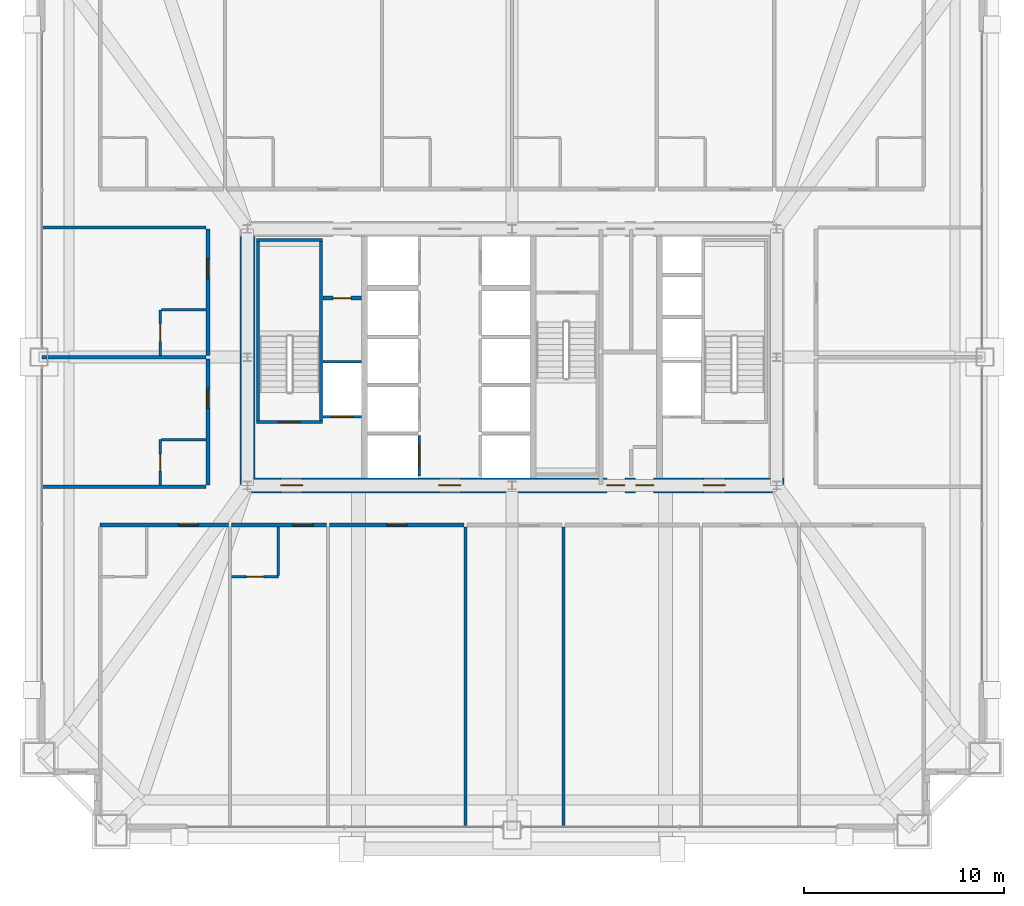
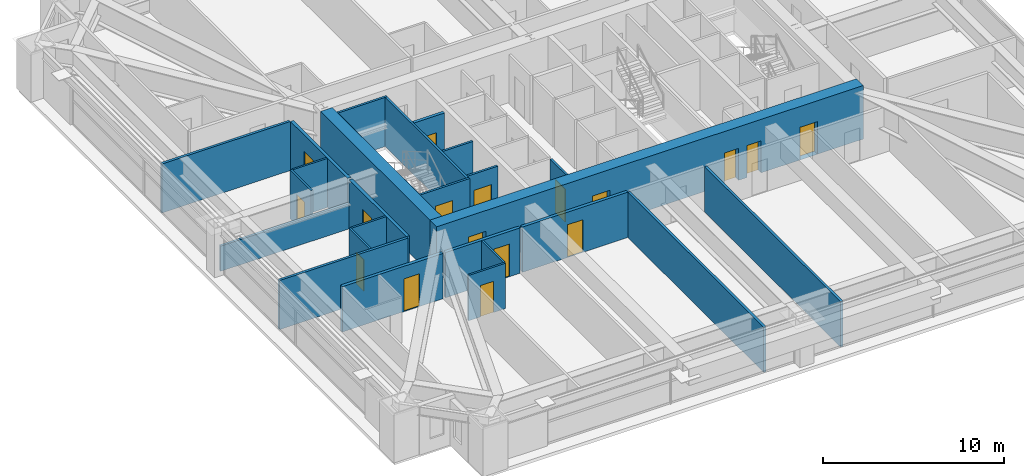
# One storey, part 41 of 45: 26 walls, 17 doors, 17 openings.
"""IFC4 building model written with IfcOpenShell, lengths in metres."""

from ifc_helpers import new_model, si_unit, direction, frame, frame_2d, origin, place, context, subcontext, project, spatial, rectangle, extrude, source, transform, mapped, material, layer, layer_set, type_object, element, fill, save


model = new_model("IFC4")

# Units and contexts
model_context = context("Model", 3, precision=1e-05, world=origin(), true_north=direction((0.0, 1.0)))
body_context = subcontext(model_context, "Body", "Model", "MODEL_VIEW")
ifc_project = project(units=[si_unit("LENGTHUNIT", "METRE"), si_unit("AREAUNIT", "SQUARE_METRE"), si_unit("VOLUMEUNIT", "CUBIC_METRE"), si_unit("PLANEANGLEUNIT", "RADIAN"), si_unit("MASSUNIT", "GRAM", prefix="KILO"), si_unit("THERMODYNAMICTEMPERATUREUNIT", "KELVIN"), si_unit("POWERUNIT", "WATT")], contexts=[model_context])

# Site, building, storey
site_placement = place(None, origin())
site = spatial("IfcSite", under=ifc_project, at=site_placement, CompositionType="ELEMENT")
building_placement = place(site_placement, origin())
building = spatial("IfcBuilding", under=site, at=building_placement, Name="Yuzanri Waterfront Tower", CompositionType="ELEMENT")
storey_placement = place(building_placement, frame((0.0, 0.0, 163.199951171875)))
storey = spatial("IfcBuildingStorey", under=building, at=storey_placement, Name="L43", CompositionType="ELEMENT", Elevation=163.199951171875)

# Wall, opening, door
ifc_material_1 = material(Name="Moisture-Resistant Gypsum Stud Wall", Category="gypsum")
ifc_layer_1 = layer(ifc_material_1, 0.1201171875)
ifc_layer_set_1 = layer_set([ifc_layer_1], Name="Moisture-Resistant Gypsum Stud Wall")
wall_type_1 = type_object("IfcWallType", Name="Bathroom and Kitchen Wet Partition 120", PredefinedType="PARTITIONING", material=ifc_layer_set_1)
wall_1_placement = place(storey_placement, frame((23.010986328125, 14.840087890625, 0.0), z_axis=(0.0, 0.0, 1.0), x_axis=(1.0, 0.0, 0.0)))
wall_1 = element("IfcWall", 1, at=wall_1_placement, inside=storey, type_object=wall_type_1, Name="L43 Partition UW-L43-S2-BS", PredefinedType="PARTITIONING", context=body_context, shape_type="SweptSolid", body=[
    extrude(rectangle(XDim=2.330078125, YDim=0.1201171875, at=frame_2d((1.1650390625, 0.0))), origin(), (0.0, 0.0, 1.0), 3.050048828125),
])
opening_1_placement = place(wall_1_placement, frame((0.739990234375, 0.0, 0.0)))
opening_1 = element("IfcOpeningElement", 2, at=opening_1_placement, cuts=wall_1, Name="Opening ID-0850", PredefinedType="OPENING", context=body_context, shape_type="SweptSolid", body=[
    extrude(rectangle(XDim=0.85009765625, YDim=2.10009765625, at=frame_2d((0.425048828125, 1.050048828125))), frame((0.0, 0.074951171875, 0.0), z_axis=(0.0, -1.0, 0.0), x_axis=(1.0, 0.0, 0.0)), (0.0, 0.0, 1.0), 0.14990234375),
])
ifc_material_2 = material(Name="Moisture-Resistant Lacquered Timber", Category="wood")
door_type_1 = type_object("IfcDoorType", Name="En-Suite Bathroom and Kitchen Swing Door 850x2100", OperationType="NOTDEFINED", PredefinedType="DOOR", material=ifc_material_2)
shared_shape_1 = source(origin(), body_context, "Body", "SweptSolid", [
    extrude(rectangle(XDim=0.85009765625, YDim=2.10009765625, at=frame_2d((0.425048828125, 1.050048828125))), frame((0.0, 0.02490234375, 0.0), z_axis=(0.0, -1.0, 0.0), x_axis=(1.0, 0.0, 0.0)), (0.0, 0.0, 1.0), 0.050048828125),
])
door_1_placement = place(opening_1_placement, origin())
door_1 = element("IfcDoor", 3, at=door_1_placement, inside=storey, type_object=door_type_1, Name="L43 Guest En-Suite Door", OperationType="SINGLE_SWING_RIGHT", OverallHeight=2.10009765625, OverallWidth=0.85009765625, PredefinedType="DOOR", context=body_context, shape_type="MappedRepresentation", body=[
    mapped(shared_shape_1, transform((0.0, 0.0, 0.0), scale=1.0)),
])
fill(opening_1, door_1)

wall_2_placement = place(storey_placement, frame((19.43994140625, 19.409912109375, 0.0), z_axis=(0.0, 0.0, 1.0), x_axis=(0.0, 1.0, 0.0)))
wall_2 = element("IfcWall", 4, at=wall_2_placement, inside=storey, type_object=wall_type_1, Name="L43 Partition UW-L43-W1-BW", PredefinedType="PARTITIONING", context=body_context, shape_type="SweptSolid", body=[
    extrude(rectangle(XDim=2.280029296875, YDim=0.1201171875, at=frame_2d((1.14013671875, 0.0))), origin(), (0.0, 0.0, 1.0), 3.300048828125),
])
opening_2_placement = place(wall_2_placement, frame((0.715087890625, 0.0, 0.0)))
opening_2 = element("IfcOpeningElement", 5, at=opening_2_placement, cuts=wall_2, Name="Opening ID-0850", PredefinedType="OPENING", context=body_context, shape_type="SweptSolid", body=[
    extrude(rectangle(XDim=0.85009765625, YDim=2.10009765625, at=frame_2d((0.425048828125, 1.050048828125))), frame((0.0, 0.074951171875, 0.0), z_axis=(0.0, -1.0, 0.0), x_axis=(1.0, 0.0, 0.0)), (0.0, 0.0, 1.0), 0.14990234375),
])
door_2_placement = place(opening_2_placement, origin())
door_2 = element("IfcDoor", 6, at=door_2_placement, inside=storey, type_object=door_type_1, Name="L43 Guest En-Suite Door", OperationType="SINGLE_SWING_LEFT", OverallHeight=2.10009765625, OverallWidth=0.85009765625, PredefinedType="DOOR", context=body_context, shape_type="MappedRepresentation", body=[
    mapped(shared_shape_1, transform((0.0, 0.0, 0.0), scale=1.0)),
])
fill(opening_2, door_2)

wall_3_placement = place(storey_placement, frame((19.43994140625, 25.8798828125, 0.0), z_axis=(0.0, 0.0, 1.0), x_axis=(0.0, 1.0, 0.0)))
wall_3 = element("IfcWall", 7, at=wall_3_placement, inside=storey, type_object=wall_type_1, Name="L43 Partition UW-L43-W2-BW", PredefinedType="PARTITIONING", context=body_context, shape_type="SweptSolid", body=[
    extrude(rectangle(XDim=2.280029296875, YDim=0.1201171875, at=frame_2d((1.14013671875, 0.0))), origin(), (0.0, 0.0, 1.0), 3.300048828125),
])
opening_3_placement = place(wall_3_placement, frame((0.715087890625, 0.0, 0.0)))
opening_3 = element("IfcOpeningElement", 8, at=opening_3_placement, cuts=wall_3, Name="Opening ID-0850", PredefinedType="OPENING", context=body_context, shape_type="SweptSolid", body=[
    extrude(rectangle(XDim=0.85009765625, YDim=2.10009765625, at=frame_2d((0.425048828125, 1.050048828125))), frame((0.0, 0.074951171875, 0.0), z_axis=(0.0, -1.0, 0.0), x_axis=(1.0, 0.0, 0.0)), (0.0, 0.0, 1.0), 0.14990234375),
])
door_3_placement = place(opening_3_placement, origin())
door_3 = element("IfcDoor", 9, at=door_3_placement, inside=storey, type_object=door_type_1, Name="L43 Guest En-Suite Door", OperationType="SINGLE_SWING_LEFT", OverallHeight=2.10009765625, OverallWidth=0.85009765625, PredefinedType="DOOR", context=body_context, shape_type="MappedRepresentation", body=[
    mapped(shared_shape_1, transform((0.0, 0.0, 0.0), scale=1.0)),
])
fill(opening_3, door_3)

# Wall, openings, doors
ifc_material_3 = material(Name="Concrete C55", Category="concrete")
ifc_layer_2 = layer(ifc_material_3, 0.75)
ifc_layer_set_2 = layer_set([ifc_layer_2], Name="Concrete C55")
wall_type_2 = type_object("IfcWallType", Name="Concrete C55 Low-Mid Zone Core Shear Wall 750", PredefinedType="SHEAR", material=ifc_layer_set_2)
wall_4_placement = place(storey_placement, frame((23.425048828125, 19.39990234375, 0.0), z_axis=(0.0, 0.0, 1.0), x_axis=(1.0, 0.0, 0.0)))
wall_4 = element("IfcWall", 10, at=wall_4_placement, inside=storey, type_object=wall_type_2, Name="L43 Core South Shear Wall", PredefinedType="SHEAR", context=body_context, shape_type="SweptSolid", body=[
    extrude(rectangle(XDim=27.14990234375, YDim=0.75, at=frame_2d((13.574951171875, 0.0))), origin(), (0.0, 0.0, 1.0), 3.60009765625),
])
opening_4_placement = place(wall_4_placement, frame((2.02490234375, 0.0, 0.0)))
opening_4 = element("IfcOpeningElement", 11, at=opening_4_placement, cuts=wall_4, Name="Opening FD-1100", PredefinedType="OPENING", context=body_context, shape_type="SweptSolid", body=[
    extrude(rectangle(XDim=1.10009765625, YDim=2.199951171875, at=frame_2d((0.550048828125, 1.10009765625))), frame((0.0, 0.389892578125, 0.0), z_axis=(0.0, -1.0, 0.0), x_axis=(1.0, 0.0, 0.0)), (0.0, 0.0, 1.0), 0.77978515625),
])
opening_5_placement = place(wall_4_placement, frame((9.925048828125, 0.0, 0.0)))
opening_5 = element("IfcOpeningElement", 12, at=opening_5_placement, cuts=wall_4, Name="Opening FD-1100", PredefinedType="OPENING", context=body_context, shape_type="SweptSolid", body=[
    extrude(rectangle(XDim=1.10009765625, YDim=2.199951171875, at=frame_2d((0.550048828125, 1.10009765625))), frame((0.0, 0.389892578125, 0.0), z_axis=(0.0, -1.0, 0.0), x_axis=(1.0, 0.0, 0.0)), (0.0, 0.0, 1.0), 0.77978515625),
])
opening_6_placement = place(wall_4_placement, frame((23.125, 0.0, 0.0)))
opening_6 = element("IfcOpeningElement", 13, at=opening_6_placement, cuts=wall_4, Name="Opening FD-1100", PredefinedType="OPENING", context=body_context, shape_type="SweptSolid", body=[
    extrude(rectangle(XDim=1.10009765625, YDim=2.199951171875, at=frame_2d((0.550048828125, 1.10009765625))), frame((0.0, 0.389892578125, 0.0), z_axis=(0.0, -1.0, 0.0), x_axis=(1.0, 0.0, 0.0)), (0.0, 0.0, 1.0), 0.77978515625),
])
opening_7_placement = place(wall_4_placement, frame((19.7451171875, 0.0, 0.0)))
opening_7 = element("IfcOpeningElement", 14, at=opening_7_placement, cuts=wall_4, Name="Opening FD-0900", PredefinedType="OPENING", context=body_context, shape_type="SweptSolid", body=[
    extrude(rectangle(XDim=0.89990234375, YDim=2.14990234375, at=frame_2d((0.449951171875, 1.074951171875))), frame((0.0, 0.389892578125, 0.0), z_axis=(0.0, -1.0, 0.0), x_axis=(1.0, 0.0, 0.0)), (0.0, 0.0, 1.0), 0.77978515625),
])
opening_8_placement = place(wall_4_placement, frame((18.304931640625, 0.0, 0.0)))
opening_8 = element("IfcOpeningElement", 15, at=opening_8_placement, cuts=wall_4, Name="Opening FD-0900", PredefinedType="OPENING", context=body_context, shape_type="SweptSolid", body=[
    extrude(rectangle(XDim=0.89990234375, YDim=2.14990234375, at=frame_2d((0.449951171875, 1.074951171875))), frame((0.0, 0.389892578125, 0.0), z_axis=(0.0, -1.0, 0.0), x_axis=(1.0, 0.0, 0.0)), (0.0, 0.0, 1.0), 0.77978515625),
])
ifc_material_4 = material(Name="Painted Galvanized Fire Steel", Category="steel")
door_type_2 = type_object("IfcDoorType", Name="Smoke-Proof Stair and Lobby Fire Door 1100x2200", OperationType="NOTDEFINED", PredefinedType="DOOR", material=ifc_material_4)
shared_shape_2 = source(origin(), body_context, "Body", "SweptSolid", [
    extrude(rectangle(XDim=1.10009765625, YDim=2.199951171875, at=frame_2d((0.550048828125, 1.10009765625))), frame((0.0, 0.02490234375, 0.0), z_axis=(0.0, -1.0, 0.0), x_axis=(1.0, 0.0, 0.0)), (0.0, 0.0, 1.0), 0.050048828125),
])
door_4_placement = place(opening_4_placement, origin())
door_4 = element("IfcDoor", 16, at=door_4_placement, inside=storey, type_object=door_type_2, Name="L43 West Firefighting Lobby Door", OperationType="SINGLE_SWING_RIGHT", OverallHeight=2.199951171875, OverallWidth=1.10009765625, PredefinedType="DOOR", context=body_context, shape_type="MappedRepresentation", body=[
    mapped(shared_shape_2, transform((0.0, 0.0, 0.0), scale=1.0)),
])
fill(opening_4, door_4)
door_5_placement = place(opening_5_placement, origin())
door_5 = element("IfcDoor", 17, at=door_5_placement, inside=storey, type_object=door_type_2, Name="L43 Central Lift Lobby South Door", OperationType="SINGLE_SWING_LEFT", OverallHeight=2.199951171875, OverallWidth=1.10009765625, PredefinedType="DOOR", context=body_context, shape_type="MappedRepresentation", body=[
    mapped(shared_shape_2, transform((0.0, 0.0, 0.0), scale=1.0)),
])
fill(opening_5, door_5)
door_6_placement = place(opening_6_placement, origin())
door_6 = element("IfcDoor", 18, at=door_6_placement, inside=storey, type_object=door_type_2, Name="L43 East Firefighting Lobby Door", OperationType="SINGLE_SWING_RIGHT", OverallHeight=2.199951171875, OverallWidth=1.10009765625, PredefinedType="DOOR", context=body_context, shape_type="MappedRepresentation", body=[
    mapped(shared_shape_2, transform((0.0, 0.0, 0.0), scale=1.0)),
])
fill(opening_6, door_6)
ifc_material_5 = material(Name="Painted Galvanized Fire Steel", Category="steel")
door_type_3 = type_object("IfcDoorType", Name="Riser and Service Room Fire Door 900x2150", OperationType="NOTDEFINED", PredefinedType="DOOR", material=ifc_material_5)
shared_shape_3 = source(origin(), body_context, "Body", "SweptSolid", [
    extrude(rectangle(XDim=0.89990234375, YDim=2.14990234375, at=frame_2d((0.449951171875, 1.074951171875))), frame((0.0, 0.02490234375, 0.0), z_axis=(0.0, -1.0, 0.0), x_axis=(1.0, 0.0, 0.0)), (0.0, 0.0, 1.0), 0.050048828125),
])
door_7_placement = place(opening_7_placement, origin())
door_7 = element("IfcDoor", 19, at=door_7_placement, inside=storey, type_object=door_type_3, Name="L43 East Wet Riser Door", OperationType="SINGLE_SWING_LEFT", OverallHeight=2.14990234375, OverallWidth=0.89990234375, PredefinedType="DOOR", context=body_context, shape_type="MappedRepresentation", body=[
    mapped(shared_shape_3, transform((0.0, 0.0, 0.0), scale=1.0)),
])
fill(opening_7, door_7)
door_8_placement = place(opening_8_placement, origin())
door_8 = element("IfcDoor", 20, at=door_8_placement, inside=storey, type_object=door_type_3, Name="L43 Housekeeping Room", OperationType="SINGLE_SWING_RIGHT", OverallHeight=2.14990234375, OverallWidth=0.89990234375, PredefinedType="DOOR", context=body_context, shape_type="MappedRepresentation", body=[
    mapped(shared_shape_3, transform((0.0, 0.0, 0.0), scale=1.0)),
])
fill(opening_8, door_8)

# Wall, opening, door
ifc_material_6 = material(Name="Concrete C40", Category="concrete")
ifc_layer_3 = layer(ifc_material_6, 0.139892578125)
ifc_layer_set_3 = layer_set([ifc_layer_3], Name="Concrete C40")
wall_type_3 = type_object("IfcWallType", Name="Core Stair Liner and Hoistway Shaft Wall 140", PredefinedType="SOLIDWALL", material=ifc_layer_set_3)
wall_5_placement = place(storey_placement, frame((27.56005859375, 22.830078125, 0.0), z_axis=(0.0, 0.0, 1.0), x_axis=(1.0, 0.0, 0.0)))
wall_5 = element("IfcWall", 21, at=wall_5_placement, inside=storey, type_object=wall_type_3, Name="L43 Lift FL-01 Front Shaft Wall", PredefinedType="SOLIDWALL", context=body_context, shape_type="SweptSolid", body=[
    extrude(rectangle(XDim=1.919921875, YDim=0.139892578125, at=frame_2d((0.9599609375, 0.0))), origin(), (0.0, 0.0, 1.0), 3.300048828125),
])
opening_9_placement = place(wall_5_placement, frame((0.409912109375, 0.0, 0.0)))
opening_9 = element("IfcOpeningElement", 22, at=opening_9_placement, cuts=wall_5, Name="Opening LD-FL-01", PredefinedType="OPENING", context=body_context, shape_type="SweptSolid", body=[
    extrude(rectangle(XDim=1.10009765625, YDim=2.199951171875, at=frame_2d((0.550048828125, 1.10009765625))), frame((0.0, 0.0849609375, 0.0), z_axis=(0.0, -1.0, 0.0), x_axis=(1.0, 0.0, 0.0)), (0.0, 0.0, 1.0), 0.169677734375),
])
ifc_material_7 = material(Name="Brushed Bronze and Stainless Steel Cab", Category="steel")
door_type_4 = type_object("IfcDoorType", Name="Center-Parting Bronze Lift Landing Sliding Door 1100x2200", OperationType="NOTDEFINED", PredefinedType="DOOR", material=ifc_material_7)
shared_shape_4 = source(origin(), body_context, "Body", "SweptSolid", [
    extrude(rectangle(XDim=1.10009765625, YDim=2.199951171875, at=frame_2d((0.550048828125, 1.10009765625))), frame((0.0, 0.02490234375, 0.0), z_axis=(0.0, -1.0, 0.0), x_axis=(1.0, 0.0, 0.0)), (0.0, 0.0, 1.0), 0.050048828125),
])
door_9_placement = place(opening_9_placement, origin())
door_9 = element("IfcDoor", 23, at=door_9_placement, inside=storey, type_object=door_type_4, Name="L43 FL-01 Lift Landing Sliding Door", OperationType="SLIDING_TO_LEFT", OverallHeight=2.199951171875, OverallWidth=1.10009765625, PredefinedType="DOOR", context=body_context, shape_type="MappedRepresentation", body=[
    mapped(shared_shape_4, transform((0.0, 0.0, 0.0), scale=1.0)),
])
fill(opening_9, door_9)

wall_6_placement = place(storey_placement, frame((32.3701171875, 19.860107421875, 0.0), z_axis=(0.0, 0.0, 1.0), x_axis=(0.0, 1.0, 0.0)))
wall_6 = element("IfcWall", 24, at=wall_6_placement, inside=storey, type_object=wall_type_3, Name="L43 Lift PL-01 Front Shaft Wall", PredefinedType="SOLIDWALL", context=body_context, shape_type="SweptSolid", body=[
    extrude(rectangle(XDim=2.039794921875, YDim=0.139892578125, at=frame_2d((1.02001953125, 0.0))), origin(), (0.0, 0.0, 1.0), 3.300048828125),
])
opening_10_placement = place(wall_6_placement, frame((0.469970703125, 0.0, 0.0)))
opening_10 = element("IfcOpeningElement", 25, at=opening_10_placement, cuts=wall_6, Name="Opening LD-PL-01", PredefinedType="OPENING", context=body_context, shape_type="SweptSolid", body=[
    extrude(rectangle(XDim=1.10009765625, YDim=2.199951171875, at=frame_2d((0.550048828125, 1.10009765625))), frame((0.0, 0.0849609375, 0.0), z_axis=(0.0, -1.0, 0.0), x_axis=(1.0, 0.0, 0.0)), (0.0, 0.0, 1.0), 0.169677734375),
])
door_10_placement = place(opening_10_placement, origin())
door_10 = element("IfcDoor", 26, at=door_10_placement, inside=storey, type_object=door_type_4, Name="L43 PL-01 Lift Landing Sliding Door", OperationType="SLIDING_TO_LEFT", OverallHeight=2.199951171875, OverallWidth=1.10009765625, PredefinedType="DOOR", context=body_context, shape_type="MappedRepresentation", body=[
    mapped(shared_shape_4, transform((0.0, 0.0, 0.0), scale=1.0)),
])
fill(opening_10, door_10)

wall_7_placement = place(storey_placement, frame((24.260009765625, 22.570068359375, 0.0), z_axis=(0.0, 0.0, 1.0), x_axis=(1.0, 0.0, 0.0)))
wall_7 = element("IfcWall", 27, at=wall_7_placement, inside=storey, type_object=wall_type_3, Name="L43 Shaft Wall STW-L43-ST-01-S", PredefinedType="SOLIDWALL", context=body_context, shape_type="SweptSolid", body=[
    extrude(rectangle(XDim=3.280029296875, YDim=0.139892578125, at=frame_2d((1.64013671875, 0.0))), origin(), (0.0, 0.0, 1.0), 3.300048828125),
])
opening_11_placement = place(wall_7_placement, frame((1.090087890625, 0.0, 0.0)))
opening_11 = element("IfcOpeningElement", 28, at=opening_11_placement, cuts=wall_7, Name="Opening FD-1100", PredefinedType="OPENING", context=body_context, shape_type="SweptSolid", body=[
    extrude(rectangle(XDim=1.10009765625, YDim=2.199951171875, at=frame_2d((0.550048828125, 1.10009765625))), frame((0.0, 0.0849609375, 0.0), z_axis=(0.0, -1.0, 0.0), x_axis=(1.0, 0.0, 0.0)), (0.0, 0.0, 1.0), 0.169677734375),
])
door_11_placement = place(opening_11_placement, origin())
door_11 = element("IfcDoor", 29, at=door_11_placement, inside=storey, type_object=door_type_2, Name="L43 Stair ST-01 Fire Door", OperationType="SINGLE_SWING_LEFT", OverallHeight=2.199951171875, OverallWidth=1.10009765625, PredefinedType="DOOR", context=body_context, shape_type="MappedRepresentation", body=[
    mapped(shared_shape_2, transform((0.0, 0.0, 0.0), scale=1.0)),
])
fill(opening_11, door_11)

ifc_material_8 = material(Name="Autoclaved Aerated Concrete Blockwork", Category="masonry")
ifc_layer_4 = layer(ifc_material_8, 0.199951171875)
ifc_layer_set_4 = layer_set([ifc_layer_4], Name="Autoclaved Aerated Concrete Blockwork")
wall_type_4 = type_object("IfcWallType", Name="Corridor and Unit Party Fire Wall 200", PredefinedType="PARTITIONING", material=ifc_layer_set_4)
wall_8_placement = place(storey_placement, frame((27.56005859375, 28.75, 0.0), z_axis=(0.0, 0.0, 1.0), x_axis=(1.0, 0.0, 0.0)))
wall_8 = element("IfcWall", 30, at=wall_8_placement, inside=storey, type_object=wall_type_4, Name="L43 Partition CRW-L43-ERTR", PredefinedType="PARTITIONING", context=body_context, shape_type="SweptSolid", body=[
    extrude(rectangle(XDim=1.919921875, YDim=0.199951171875, at=frame_2d((0.9599609375, 0.0))), origin(), (0.0, 0.0, 1.0), 3.300048828125),
])
opening_12_placement = place(wall_8_placement, frame((0.510009765625, 0.0, 0.0)))
opening_12 = element("IfcOpeningElement", 31, at=opening_12_placement, cuts=wall_8, Name="Opening FD-0900", PredefinedType="OPENING", context=body_context, shape_type="SweptSolid", body=[
    extrude(rectangle(XDim=0.89990234375, YDim=2.14990234375, at=frame_2d((0.449951171875, 1.074951171875))), frame((0.0, 0.11474609375, 0.0), z_axis=(0.0, -1.0, 0.0), x_axis=(1.0, 0.0, 0.0)), (0.0, 0.0, 1.0), 0.229736328125),
])
door_12_placement = place(opening_12_placement, origin())
door_12 = element("IfcDoor", 32, at=door_12_placement, inside=storey, type_object=door_type_3, Name="L43 Electrical Riser Door", OperationType="SINGLE_SWING_RIGHT", OverallHeight=2.14990234375, OverallWidth=0.89990234375, PredefinedType="DOOR", context=body_context, shape_type="MappedRepresentation", body=[
    mapped(shared_shape_3, transform((0.0, 0.0, 0.0), scale=1.0)),
])
fill(opening_12, door_12)

wall_9_placement = place(storey_placement, frame((16.43994140625, 17.419921875, 0.0), z_axis=(0.0, 0.0, 1.0), x_axis=(1.0, 0.0, 0.0)))
wall_9 = element("IfcWall", 33, at=wall_9_placement, inside=storey, type_object=wall_type_4, Name="L43 Partition UW-L43-S1-CN", PredefinedType="PARTITIONING", context=body_context, shape_type="SweptSolid", body=[
    extrude(rectangle(XDim=6.4111328125, YDim=0.199951171875, at=frame_2d((3.20556640625, 0.0))), origin(), (0.0, 0.0, 1.0), 3.050048828125),
])
opening_13_placement = place(wall_9_placement, frame((3.910888671875, 0.0, 0.0)))
opening_13 = element("IfcOpeningElement", 34, at=opening_13_placement, cuts=wall_9, Name="Opening FD-1000", PredefinedType="OPENING", context=body_context, shape_type="SweptSolid", body=[
    extrude(rectangle(XDim=1.0, YDim=2.199951171875, at=frame_2d((0.5, 1.10009765625))), frame((0.0, 0.11474609375, 0.0), z_axis=(0.0, -1.0, 0.0), x_axis=(1.0, 0.0, 0.0)), (0.0, 0.0, 1.0), 0.229736328125),
])
ifc_material_9 = material(Name="Engineered Oak Fire-Rated Timber", Category="wood")
door_type_5 = type_object("IfcDoorType", Name="Guestroom and Apartment Entrance Fire Door 1000x2200", OperationType="NOTDEFINED", PredefinedType="DOOR", material=ifc_material_9)
shared_shape_5 = source(origin(), body_context, "Body", "SweptSolid", [
    extrude(rectangle(XDim=1.0, YDim=2.199951171875, at=frame_2d((0.5, 1.10009765625))), frame((0.0, 0.02490234375, 0.0), z_axis=(0.0, -1.0, 0.0), x_axis=(1.0, 0.0, 0.0)), (0.0, 0.0, 1.0), 0.050048828125),
])
door_13_placement = place(opening_13_placement, origin())
door_13 = element("IfcDoor", 35, at=door_13_placement, inside=storey, type_object=door_type_5, Name="L43 Premier Riverview Junior Suite Entrance Door", OperationType="SINGLE_SWING_LEFT", OverallHeight=2.199951171875, OverallWidth=1.0, PredefinedType="DOOR", context=body_context, shape_type="MappedRepresentation", body=[
    mapped(shared_shape_5, transform((0.0, 0.0, 0.0), scale=1.0)),
])
fill(opening_13, door_13)

wall_10_placement = place(storey_placement, frame((23.010986328125, 17.419921875, 0.0), z_axis=(0.0, 0.0, 1.0), x_axis=(1.0, 0.0, 0.0)))
wall_10 = element("IfcWall", 36, at=wall_10_placement, inside=storey, type_object=wall_type_4, Name="L43 Partition UW-L43-S2-CN", PredefinedType="PARTITIONING", context=body_context, shape_type="SweptSolid", body=[
    extrude(rectangle(XDim=4.72705078125, YDim=0.199951171875, at=frame_2d((2.363525390625, 0.0))), origin(), (0.0, 0.0, 1.0), 3.050048828125),
])
opening_14_placement = place(wall_10_placement, frame((3.068115234375, 0.0, 0.0)))
opening_14 = element("IfcOpeningElement", 37, at=opening_14_placement, cuts=wall_10, Name="Opening FD-1000", PredefinedType="OPENING", context=body_context, shape_type="SweptSolid", body=[
    extrude(rectangle(XDim=1.0, YDim=2.199951171875, at=frame_2d((0.5, 1.10009765625))), frame((0.0, 0.11474609375, 0.0), z_axis=(0.0, -1.0, 0.0), x_axis=(1.0, 0.0, 0.0)), (0.0, 0.0, 1.0), 0.229736328125),
])
door_14_placement = place(opening_14_placement, origin())
door_14 = element("IfcDoor", 38, at=door_14_placement, inside=storey, type_object=door_type_5, Name="L43 Junior Suite Entrance Door", OperationType="SINGLE_SWING_LEFT", OverallHeight=2.199951171875, OverallWidth=1.0, PredefinedType="DOOR", context=body_context, shape_type="MappedRepresentation", body=[
    mapped(shared_shape_5, transform((0.0, 0.0, 0.0), scale=1.0)),
])
fill(opening_14, door_14)

wall_11_placement = place(storey_placement, frame((27.89794921875, 17.419921875, 0.0), z_axis=(0.0, 0.0, 1.0), x_axis=(1.0, 0.0, 0.0)))
wall_11 = element("IfcWall", 39, at=wall_11_placement, inside=storey, type_object=wall_type_4, Name="L43 Partition UW-L43-S3-CN", PredefinedType="PARTITIONING", context=body_context, shape_type="SweptSolid", body=[
    extrude(rectangle(XDim=6.7021484375, YDim=0.199951171875, at=frame_2d((3.35107421875, 0.0))), origin(), (0.0, 0.0, 1.0), 3.050048828125),
])
opening_15_placement = place(wall_11_placement, frame((2.85107421875, 0.0, 0.0)))
opening_15 = element("IfcOpeningElement", 40, at=opening_15_placement, cuts=wall_11, Name="Opening FD-1000", PredefinedType="OPENING", context=body_context, shape_type="SweptSolid", body=[
    extrude(rectangle(XDim=1.0, YDim=2.199951171875, at=frame_2d((0.5, 1.10009765625))), frame((0.0, 0.11474609375, 0.0), z_axis=(0.0, -1.0, 0.0), x_axis=(1.0, 0.0, 0.0)), (0.0, 0.0, 1.0), 0.229736328125),
])
door_15_placement = place(opening_15_placement, origin())
door_15 = element("IfcDoor", 41, at=door_15_placement, inside=storey, type_object=door_type_5, Name="L43 Executive Club Room Entrance Door", OperationType="SINGLE_SWING_LEFT", OverallHeight=2.199951171875, OverallWidth=1.0, PredefinedType="DOOR", context=body_context, shape_type="MappedRepresentation", body=[
    mapped(shared_shape_5, transform((0.0, 0.0, 0.0), scale=1.0)),
])
fill(opening_15, door_15)

wall_12_placement = place(storey_placement, frame((21.820068359375, 19.409912109375, 0.0), z_axis=(0.0, 0.0, 1.0), x_axis=(0.0, 1.0, 0.0)))
wall_12 = element("IfcWall", 42, at=wall_12_placement, inside=storey, type_object=wall_type_4, Name="L43 Partition UW-L43-W1-CW", PredefinedType="PARTITIONING", context=body_context, shape_type="SweptSolid", body=[
    extrude(rectangle(XDim=6.31005859375, YDim=0.199951171875, at=frame_2d((3.155029296875, 0.0))), origin(), (0.0, 0.0, 1.0), 3.300048828125),
])
opening_16_placement = place(wall_12_placement, frame((3.8349609375, 0.0, 0.0)))
opening_16 = element("IfcOpeningElement", 43, at=opening_16_placement, cuts=wall_12, Name="Opening FD-1000", PredefinedType="OPENING", context=body_context, shape_type="SweptSolid", body=[
    extrude(rectangle(XDim=1.0, YDim=2.199951171875, at=frame_2d((0.5, 1.10009765625))), frame((0.0, 0.11474609375, 0.0), z_axis=(0.0, -1.0, 0.0), x_axis=(1.0, 0.0, 0.0)), (0.0, 0.0, 1.0), 0.229736328125),
])
door_16_placement = place(opening_16_placement, origin())
door_16 = element("IfcDoor", 44, at=door_16_placement, inside=storey, type_object=door_type_5, Name="L43 West Guest Room Entrance Door", OperationType="SINGLE_SWING_RIGHT", OverallHeight=2.199951171875, OverallWidth=1.0, PredefinedType="DOOR", context=body_context, shape_type="MappedRepresentation", body=[
    mapped(shared_shape_5, transform((0.0, 0.0, 0.0), scale=1.0)),
])
fill(opening_16, door_16)

wall_13_placement = place(storey_placement, frame((21.820068359375, 25.8798828125, 0.0), z_axis=(0.0, 0.0, 1.0), x_axis=(0.0, 1.0, 0.0)))
wall_13 = element("IfcWall", 45, at=wall_13_placement, inside=storey, type_object=wall_type_4, Name="L43 Partition UW-L43-W2-CW", PredefinedType="PARTITIONING", context=body_context, shape_type="SweptSolid", body=[
    extrude(rectangle(XDim=6.31005859375, YDim=0.199951171875, at=frame_2d((3.155029296875, 0.0))), origin(), (0.0, 0.0, 1.0), 3.300048828125),
])
opening_17_placement = place(wall_13_placement, frame((3.8349609375, 0.0, 0.0)))
opening_17 = element("IfcOpeningElement", 46, at=opening_17_placement, cuts=wall_13, Name="Opening FD-1000", PredefinedType="OPENING", context=body_context, shape_type="SweptSolid", body=[
    extrude(rectangle(XDim=1.0, YDim=2.199951171875, at=frame_2d((0.5, 1.10009765625))), frame((0.0, 0.11474609375, 0.0), z_axis=(0.0, -1.0, 0.0), x_axis=(1.0, 0.0, 0.0)), (0.0, 0.0, 1.0), 0.229736328125),
])
door_17_placement = place(opening_17_placement, origin())
door_17 = element("IfcDoor", 47, at=door_17_placement, inside=storey, type_object=door_type_5, Name="L43 West Guest Room Entrance Door", OperationType="SINGLE_SWING_RIGHT", OverallHeight=2.199951171875, OverallWidth=1.0, PredefinedType="DOOR", context=body_context, shape_type="MappedRepresentation", body=[
    mapped(shared_shape_5, transform((0.0, 0.0, 0.0), scale=1.0)),
])
fill(opening_17, door_17)

# Walls
shared_shape_6 = source(origin(), body_context, "Body", "SweptSolid", [
    extrude(rectangle(XDim=12.050048828125, YDim=0.75, at=frame_2d((6.02490234375, 0.0))), origin(), (0.0, 0.0, 1.0), 3.60009765625),
])
wall_14_placement = place(storey_placement, frame((23.800048828125, 19.77490234375, 0.0), z_axis=(0.0, 0.0, 1.0), x_axis=(0.0, 1.0, 0.0)))
element("IfcWall", 48, at=wall_14_placement, inside=storey, type_object=wall_type_2, Name="L43 Core West Shear Wall", PredefinedType="SHEAR", context=body_context, shape_type="MappedRepresentation", body=[
    mapped(shared_shape_6, transform((0.0, 0.0, 0.0), scale=1.0)),
])
shared_shape_7 = source(origin(), body_context, "Body", "SweptSolid", [
    extrude(rectangle(XDim=1.919921875, YDim=0.139892578125, at=frame_2d((0.9599609375, 0.0))), origin(), (0.0, 0.0, 1.0), 3.300048828125),
])
wall_15_placement = place(storey_placement, frame((27.56005859375, 25.570068359375, 0.0), z_axis=(0.0, 0.0, 1.0), x_axis=(1.0, 0.0, 0.0)))
element("IfcWall", 49, at=wall_15_placement, inside=storey, type_object=wall_type_3, Name="L43 Lift FL-01 Back Shaft Wall", PredefinedType="SOLIDWALL", context=body_context, shape_type="MappedRepresentation", body=[
    mapped(shared_shape_7, transform((0.0, 0.0, 0.0), scale=1.0)),
])
shared_shape_8 = source(origin(), body_context, "Body", "SweptSolid", [
    extrude(rectangle(XDim=3.280029296875, YDim=0.139892578125, at=frame_2d((1.64013671875, 0.0))), origin(), (0.0, 0.0, 1.0), 3.300048828125),
])
wall_16_placement = place(storey_placement, frame((24.260009765625, 31.64990234375, 0.0), z_axis=(0.0, 0.0, 1.0), x_axis=(1.0, 0.0, 0.0)))
element("IfcWall", 50, at=wall_16_placement, inside=storey, type_object=wall_type_3, Name="L43 Stair ST-01 North Shaft Wall", PredefinedType="SOLIDWALL", context=body_context, shape_type="MappedRepresentation", body=[
    mapped(shared_shape_8, transform((0.0, 0.0, 0.0), scale=1.0)),
])
shared_shape_9 = source(origin(), body_context, "Body", "SweptSolid", [
    extrude(rectangle(XDim=8.940185546875, YDim=0.139892578125, at=frame_2d((4.47021484375, 0.0))), origin(), (0.0, 0.0, 1.0), 3.300048828125),
])
for number, where, z_axis, x_axis, name in (
    (51, (24.330078125, 22.639892578125, 0.0), (0.0, 0.0, 1.0), (0.0, 1.0, 0.0), "L43 Stair ST-01 West Shaft Wall"),
    (52, (27.469970703125, 22.639892578125, 0.0), (0.0, 0.0, 1.0), (0.0, 1.0, 0.0), "L43 Stair ST-01 East Shaft Wall"),
):
    element("IfcWall", number, at=place(storey_placement, frame(where, z_axis=z_axis, x_axis=x_axis)), inside=storey, type_object=wall_type_3, Name=name, PredefinedType="SOLIDWALL", context=body_context, shape_type="MappedRepresentation", body=[
        mapped(shared_shape_9, transform((0.0, 0.0, 0.0), scale=1.0)),
    ])
ifc_material_10 = material(Name="Gypsum Fireboard Acoustic Stud Wall", Category="gypsum")
ifc_layer_5 = layer(ifc_material_10, 0.159912109375)
ifc_layer_set_5 = layer_set([ifc_layer_5], Name="Gypsum Fireboard Acoustic Stud Wall")
wall_type_5 = type_object("IfcWallType", Name="Acoustic Suite Demising Partition 160", PredefinedType="PARTITIONING", material=ifc_layer_set_5)
shared_shape_10 = source(origin(), body_context, "Body", "SweptSolid", [
    extrude(rectangle(XDim=14.969970703125, YDim=0.159912109375, at=frame_2d((7.48486328125, 0.0))), origin(), (0.0, 0.0, 1.0), 3.050048828125),
])
for number, where, z_axis, x_axis, name in (
    (53, (34.679931640625, 2.35009765625, 0.0), (0.0, 0.0, 1.0), (0.0, 1.0, 0.0), "L43-S3 Party Wall"),
    (54, (39.56689453125, 2.35009765625, 0.0), (0.0, 0.0, 1.0), (0.0, 1.0, 0.0), "L43-S4 Party Wall"),
):
    element("IfcWall", number, at=place(storey_placement, frame(where, z_axis=z_axis, x_axis=x_axis)), inside=storey, type_object=wall_type_5, Name=name, PredefinedType="PARTITIONING", context=body_context, shape_type="MappedRepresentation", body=[
        mapped(shared_shape_10, transform((0.0, 0.0, 0.0), scale=1.0)),
    ])
shared_shape_11 = source(origin(), body_context, "Body", "SweptSolid", [
    extrude(rectangle(XDim=2.420166015625, YDim=0.1201171875, at=frame_2d((1.2099609375, 0.0))), origin(), (0.0, 0.0, 1.0), 3.050048828125),
])
wall_17_placement = place(storey_placement, frame((25.341064453125, 14.89990234375, 0.0), z_axis=(0.0, 0.0, 1.0), x_axis=(0.0, 1.0, 0.0)))
element("IfcWall", 55, at=wall_17_placement, inside=storey, type_object=wall_type_1, Name="L43-S2 En-Suite Side Wall", PredefinedType="PARTITIONING", context=body_context, shape_type="MappedRepresentation", body=[
    mapped(shared_shape_11, transform((0.0, 0.0, 0.0), scale=1.0)),
])
shared_shape_12 = source(origin(), body_context, "Body", "SweptSolid", [
    extrude(rectangle(XDim=8.169921875, YDim=0.159912109375, at=frame_2d((4.0849609375, 0.0))), origin(), (0.0, 0.0, 1.0), 1.695068359375),
])
wall_18_placement = place(storey_placement, frame((13.550048828125, 25.800048828125, 0.0), z_axis=(0.0, 0.0, 1.0), x_axis=(1.0, 0.0, 0.0)))
element("IfcWall", 56, at=wall_18_placement, inside=storey, type_object=wall_type_5, Name="L43-W1 Wing Party Wall", PredefinedType="PARTITIONING", context=body_context, shape_type="MappedRepresentation", body=[
    mapped(shared_shape_12, transform((0.0, 0.0, 0.0), scale=1.0)),
])
shared_shape_13 = source(origin(), body_context, "Body", "SweptSolid", [
    extrude(rectangle(XDim=8.169921875, YDim=0.159912109375, at=frame_2d((4.0849609375, 0.0))), origin(), (0.0, 0.0, 1.0), 3.300048828125),
])
for number, where, z_axis, x_axis, name in (
    (57, (13.550048828125, 19.330078125, 0.0), (0.0, 0.0, 1.0), (1.0, 0.0, 0.0), "L43-W1 Wing South End Wall"),
    (58, (13.550048828125, 32.27001953125, 0.0), (0.0, 0.0, 1.0), (1.0, 0.0, 0.0), "L43-W2 Wing North End Wall"),
):
    element("IfcWall", number, at=place(storey_placement, frame(where, z_axis=z_axis, x_axis=x_axis)), inside=storey, type_object=wall_type_5, Name=name, PredefinedType="PARTITIONING", context=body_context, shape_type="MappedRepresentation", body=[
        mapped(shared_shape_13, transform((0.0, 0.0, 0.0), scale=1.0)),
    ])
shared_shape_14 = source(origin(), body_context, "Body", "SweptSolid", [
    extrude(rectangle(XDim=2.219970703125, YDim=0.1201171875, at=frame_2d((1.10986328125, 0.0))), origin(), (0.0, 0.0, 1.0), 3.300048828125),
])
for number, where, z_axis, x_axis, name in (
    (59, (19.5, 21.68994140625, 0.0), (0.0, 0.0, 1.0), (1.0, 0.0, 0.0), "L43-W1 En-Suite Top Wall"),
    (60, (19.5, 28.159912109375, 0.0), (0.0, 0.0, 1.0), (1.0, 0.0, 0.0), "L43-W2 En-Suite Top Wall"),
):
    element("IfcWall", number, at=place(storey_placement, frame(where, z_axis=z_axis, x_axis=x_axis)), inside=storey, type_object=wall_type_1, Name=name, PredefinedType="PARTITIONING", context=body_context, shape_type="MappedRepresentation", body=[
        mapped(shared_shape_14, transform((0.0, 0.0, 0.0), scale=1.0)),
    ])

save(model, "model.ifc")
